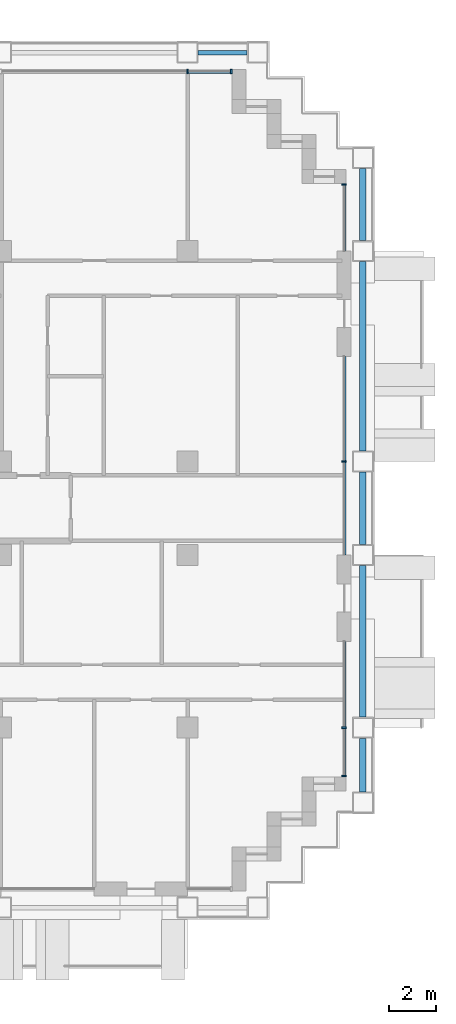
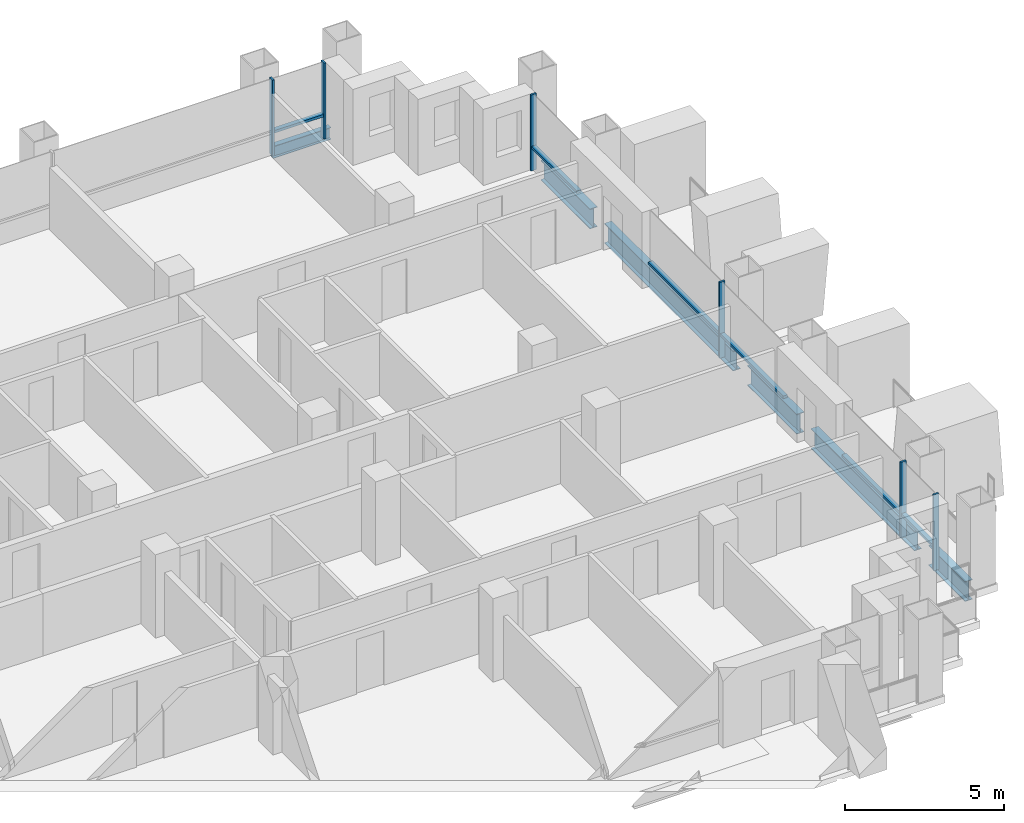
# One storey, part 6 of 19: 12 members, 6 beams, 4 elements without a shape of their own.
"""IFC4 building model written with IfcOpenShell, lengths in metres."""

from ifc_helpers import new_model, si_unit, direction, frame, origin, origin_2d, place, context, subcontext, project, spatial, rectangle, i_section, extrude, material, material_profile, profile_set, type_object, element, aggregate, save


model = new_model("IFC4")

# Units and contexts
model_context = context("Model", 3, precision=1e-05, world=origin(), true_north=direction((0.0, 1.0)))
body_context = subcontext(model_context, "Body", "Model", "MODEL_VIEW")
ifc_project = project(units=[si_unit("LENGTHUNIT", "METRE"), si_unit("AREAUNIT", "SQUARE_METRE"), si_unit("VOLUMEUNIT", "CUBIC_METRE"), si_unit("PLANEANGLEUNIT", "RADIAN"), si_unit("MASSUNIT", "GRAM", prefix="KILO")], contexts=[model_context])

# Site, building, storey
site_placement = place(None, origin())
site = spatial("IfcSite", under=ifc_project, at=site_placement, CompositionType="ELEMENT")
building_placement = place(site_placement, origin())
building = spatial("IfcBuilding", under=site, at=building_placement, Name="Vidyagriha Tower", CompositionType="ELEMENT")
storey_placement = place(building_placement, frame((0.0, 0.0, 99.89990234375)))
storey = spatial("IfcBuildingStorey", under=building, at=storey_placement, Name="L26", CompositionType="ELEMENT", Elevation=99.89990234375)

# Beams
ifc_material_1 = material(Name="Steel ASTM A992 Grade 50", Category="steel")
ifc_material_profile_1 = material_profile(ifc_material_1, i_section(OverallWidth=0.2666015625, OverallDepth=0.76953125, WebThickness=0.015625, FlangeThickness=0.025390625, at=origin_2d()), Name="W30X132")
ifc_profile_set_1 = profile_set([ifc_material_profile_1], Name="Steel ASTM A992 Grade 50")
beam_type_1 = type_object("IfcBeamType", Name="Cantilever edge beam W30X132", PredefinedType="SPANDREL", material=ifc_profile_set_1)
beam_1_placement = place(storey_placement, frame((41.5, -12.14990234375, -0.664794921875), z_axis=(0.0, 1.0, 0.0), x_axis=(-1.0, 0.0, 0.0)))
element("IfcBeam", 1, at=beam_1_placement, inside=storey, type_object=beam_type_1, Name="st-beam-L26-E15", PredefinedType="SPANDREL", context=body_context, shape_type="SweptSolid", body=[
    extrude(i_section(OverallWidth=0.2666015625, OverallDepth=0.76953125, WebThickness=0.015625, FlangeThickness=0.025390625, at=origin_2d()), origin(), (0.0, 0.0, 1.0), 2.2998046875),
])
beam_2_placement = place(storey_placement, frame((41.5, -8.949951171875, -0.664794921875), z_axis=(0.0, 1.0, 0.0), x_axis=(-1.0, 0.0, 0.0)))
element("IfcBeam", 2, at=beam_2_placement, inside=storey, type_object=beam_type_1, Name="st-beam-L26-E16", PredefinedType="SPANDREL", context=body_context, shape_type="SweptSolid", body=[
    extrude(i_section(OverallWidth=0.2666015625, OverallDepth=0.76953125, WebThickness=0.015625, FlangeThickness=0.025390625, at=origin_2d()), origin(), (0.0, 0.0, 1.0), 6.5),
])
beam_3_placement = place(storey_placement, frame((41.5, -1.550048828125, -0.664794921875), z_axis=(0.0, 1.0, 0.0), x_axis=(-1.0, 0.0, 0.0)))
element("IfcBeam", 3, at=beam_3_placement, inside=storey, type_object=beam_type_1, Name="st-beam-L26-E17", PredefinedType="SPANDREL", context=body_context, shape_type="SweptSolid", body=[
    extrude(i_section(OverallWidth=0.2666015625, OverallDepth=0.76953125, WebThickness=0.015625, FlangeThickness=0.025390625, at=origin_2d()), origin(), (0.0, 0.0, 1.0), 3.10009765625),
])
beam_4_placement = place(storey_placement, frame((41.5, 2.449951171875, -0.664794921875), z_axis=(0.0, 1.0, 0.0), x_axis=(-1.0, 0.0, 0.0)))
element("IfcBeam", 4, at=beam_4_placement, inside=storey, type_object=beam_type_1, Name="st-beam-L26-E18", PredefinedType="SPANDREL", context=body_context, shape_type="SweptSolid", body=[
    extrude(i_section(OverallWidth=0.2666015625, OverallDepth=0.76953125, WebThickness=0.015625, FlangeThickness=0.025390625, at=origin_2d()), origin(), (0.0, 0.0, 1.0), 8.10009765625),
])
beam_5_placement = place(storey_placement, frame((41.5, 11.449951171875, -0.664794921875), z_axis=(0.0, 1.0, 0.0), x_axis=(-1.0, 0.0, 0.0)))
element("IfcBeam", 5, at=beam_5_placement, inside=storey, type_object=beam_type_1, Name="st-beam-L26-E19", PredefinedType="SPANDREL", context=body_context, shape_type="SweptSolid", body=[
    extrude(i_section(OverallWidth=0.2666015625, OverallDepth=0.76953125, WebThickness=0.015625, FlangeThickness=0.025390625, at=origin_2d()), origin(), (0.0, 0.0, 1.0), 3.10009765625),
])
ifc_material_2 = material(Name="Steel ASTM A992 Grade 50", Category="steel")
ifc_material_profile_2 = material_profile(ifc_material_2, i_section(OverallWidth=0.19189453125, OverallDepth=0.46240234375, WebThickness=0.010498046875, FlangeThickness=0.017578125, at=origin_2d()), Name="W18X60")
ifc_profile_set_2 = profile_set([ifc_material_profile_2], Name="Steel ASTM A992 Grade 50")
beam_type_2 = type_object("IfcBeamType", Name="Edge beam W18X60", PredefinedType="SPANDREL", material=ifc_profile_set_2)
beam_6_placement = place(storey_placement, frame((34.449951171875, 19.5, -0.510986328125), z_axis=(1.0, 0.0, 0.0), x_axis=(0.0, 1.0, 0.0)))
element("IfcBeam", 6, at=beam_6_placement, inside=storey, type_object=beam_type_2, Name="st-beam-L26-NE23", PredefinedType="SPANDREL", context=body_context, shape_type="SweptSolid", body=[
    extrude(i_section(OverallWidth=0.19189453125, OverallDepth=0.46240234375, WebThickness=0.010498046875, FlangeThickness=0.017578125, at=origin_2d()), origin(), (0.0, 0.0, 1.0), 2.10009765625),
])

# Curtain wall, members
ifc_material_3 = material(Name="Aluminium and glass curtain wall", Category="aluminium")
curtain_wall_type = type_object("IfcCurtainWallType", Name="Dwelling skin unitised curtain wall", PredefinedType="USERDEFINED", material=ifc_material_3)
curtain_wall_1_placement = place(storey_placement, origin())
curtain_wall_1 = element("IfcCurtainWall", 7, at=curtain_wall_1_placement, inside=storey, type_object=curtain_wall_type, Name="CW1 dwelling skin", ObjectType="UNITISED", PredefinedType="USERDEFINED")
ifc_material_4 = material(Name="Aluminium black anodised", Category="aluminium")
ifc_material_profile_3 = material_profile(ifc_material_4, rectangle(XDim=0.199951171875, YDim=0.070068359375, at=origin_2d()), Name="Mullion 70x200 black aluminium")
ifc_profile_set_3 = profile_set([ifc_material_profile_3], Name="Aluminium black anodised")
member_type_1 = type_object("IfcMemberType", Name="Mullion 70x200 black aluminium", PredefinedType="MULLION", material=ifc_profile_set_3)
member_1_placement = place(storey_placement, frame((35.864990234375, 18.699951171875, 0.0), z_axis=(0.0, 0.0, 1.0), x_axis=(0.0, -1.0, 0.0)))
member_1 = element("IfcMember", 8, at=member_1_placement, type_object=member_type_1, Name="CW1 mullion 1", PredefinedType="MULLION", context=body_context, shape_type="SweptSolid", body=[
    extrude(rectangle(XDim=0.199951171875, YDim=0.070068359375, at=origin_2d()), origin(), (0.0, 0.0, 1.0), 2.920166015625),
])
member_2_placement = place(storey_placement, frame((34.0, 18.699951171875, 0.0), z_axis=(0.0, 0.0, 1.0), x_axis=(0.0, -1.0, 0.0)))
member_2 = element("IfcMember", 9, at=member_2_placement, type_object=member_type_1, Name="CW1 mullion 2", PredefinedType="MULLION", context=body_context, shape_type="SweptSolid", body=[
    extrude(rectangle(XDim=0.199951171875, YDim=0.070068359375, at=origin_2d()), origin(), (0.0, 0.0, 1.0), 2.920166015625),
])

curtain_wall_2_placement = place(storey_placement, origin())
curtain_wall_2 = element("IfcCurtainWall", 10, at=curtain_wall_2_placement, inside=storey, type_object=curtain_wall_type, Name="CW1 dwelling skin", ObjectType="UNITISED", PredefinedType="USERDEFINED")
member_3_placement = place(storey_placement, frame((40.699951171875, -11.465087890625, 0.0), z_axis=(0.0, 0.0, 1.0), x_axis=(-1.0, 0.0, 0.0)))
member_3 = element("IfcMember", 11, at=member_3_placement, type_object=member_type_1, Name="CW1 mullion 1", PredefinedType="MULLION", context=body_context, shape_type="SweptSolid", body=[
    extrude(rectangle(XDim=0.199951171875, YDim=0.070068359375, at=origin_2d()), origin(), (0.0, 0.0, 1.0), 2.920166015625),
])
member_4_placement = place(storey_placement, frame((40.699951171875, -9.39990234375, 0.0), z_axis=(0.0, 0.0, 1.0), x_axis=(-1.0, 0.0, 0.0)))
member_4 = element("IfcMember", 12, at=member_4_placement, type_object=member_type_1, Name="CW1 mullion 2", PredefinedType="MULLION", context=body_context, shape_type="SweptSolid", body=[
    extrude(rectangle(XDim=0.199951171875, YDim=0.070068359375, at=origin_2d()), origin(), (0.0, 0.0, 1.0), 2.920166015625),
])

# Curtain wall, member
curtain_wall_3_placement = place(storey_placement, origin())
curtain_wall_3 = element("IfcCurtainWall", 13, at=curtain_wall_3_placement, inside=storey, type_object=curtain_wall_type, Name="CW1 dwelling skin", ObjectType="UNITISED", PredefinedType="USERDEFINED")
member_5_placement = place(storey_placement, frame((40.699951171875, 2.0, 0.0), z_axis=(0.0, 0.0, 1.0), x_axis=(-1.0, 0.0, 0.0)))
member_5 = element("IfcMember", 14, at=member_5_placement, type_object=member_type_1, Name="CW1 mullion 2", PredefinedType="MULLION", context=body_context, shape_type="SweptSolid", body=[
    extrude(rectangle(XDim=0.199951171875, YDim=0.070068359375, at=origin_2d()), origin(), (0.0, 0.0, 1.0), 2.920166015625),
])

curtain_wall_4_placement = place(storey_placement, origin())
curtain_wall_4 = element("IfcCurtainWall", 15, at=curtain_wall_4_placement, inside=storey, type_object=curtain_wall_type, Name="CW1 dwelling skin", ObjectType="UNITISED", PredefinedType="USERDEFINED")
member_6_placement = place(storey_placement, frame((40.699951171875, 13.864990234375, 0.0), z_axis=(0.0, 0.0, 1.0), x_axis=(-1.0, 0.0, 0.0)))
member_6 = element("IfcMember", 16, at=member_6_placement, type_object=member_type_1, Name="CW1 mullion 2", PredefinedType="MULLION", context=body_context, shape_type="SweptSolid", body=[
    extrude(rectangle(XDim=0.199951171875, YDim=0.070068359375, at=origin_2d()), origin(), (0.0, 0.0, 1.0), 2.920166015625),
])

# Member
ifc_material_5 = material(Name="Aluminium black anodised", Category="aluminium")
ifc_material_profile_4 = material_profile(ifc_material_5, rectangle(XDim=0.159912109375, YDim=0.10009765625, at=origin_2d()), Name="Transom 100x160 black aluminium")
ifc_profile_set_4 = profile_set([ifc_material_profile_4], Name="Aluminium black anodised")
member_type_2 = type_object("IfcMemberType", Name="Transom 100x160 black aluminium", PredefinedType="USERDEFINED", material=ifc_profile_set_4)
member_7_placement = place(storey_placement, frame((35.830078125, 18.699951171875, 0.900146484375), z_axis=(-1.0, 0.0, 0.0), x_axis=(0.0, -1.0, 0.0)))
member_7 = element("IfcMember", 17, at=member_7_placement, type_object=member_type_2, Name="CW1 transom 1.1", ObjectType="TRANSOM", PredefinedType="USERDEFINED", context=body_context, shape_type="SweptSolid", body=[
    extrude(rectangle(XDim=0.159912109375, YDim=0.10009765625, at=origin_2d()), origin(), (0.0, 0.0, 1.0), 1.795166015625),
])

aggregate(curtain_wall_1, [member_1, member_2, member_7])

member_8_placement = place(storey_placement, frame((40.699951171875, -11.429931640625, 0.900146484375), z_axis=(0.0, 1.0, 0.0), x_axis=(-1.0, 0.0, 0.0)))
member_8 = element("IfcMember", 18, at=member_8_placement, type_object=member_type_2, Name="CW1 transom 1.1", ObjectType="TRANSOM", PredefinedType="USERDEFINED", context=body_context, shape_type="SweptSolid", body=[
    extrude(rectangle(XDim=0.159912109375, YDim=0.10009765625, at=origin_2d()), origin(), (0.0, 0.0, 1.0), 1.994873046875),
])

member_9_placement = place(storey_placement, frame((40.699951171875, -9.364990234375, 0.900146484375), z_axis=(0.0, 1.0, 0.0), x_axis=(-1.0, 0.0, 0.0)))
member_9 = element("IfcMember", 19, at=member_9_placement, type_object=member_type_2, Name="CW1 transom 2.1", ObjectType="TRANSOM", PredefinedType="USERDEFINED", context=body_context, shape_type="SweptSolid", body=[
    extrude(rectangle(XDim=0.159912109375, YDim=0.10009765625, at=origin_2d()), origin(), (0.0, 0.0, 1.0), 3.6650390625),
])

aggregate(curtain_wall_2, [member_3, member_4, member_8, member_9])

member_10_placement = place(storey_placement, frame((40.699951171875, -2.0, 0.900146484375), z_axis=(0.0, 1.0, 0.0), x_axis=(-1.0, 0.0, 0.0)))
member_10 = element("IfcMember", 20, at=member_10_placement, type_object=member_type_2, Name="CW1 transom 1.1", ObjectType="TRANSOM", PredefinedType="USERDEFINED", context=body_context, shape_type="SweptSolid", body=[
    extrude(rectangle(XDim=0.159912109375, YDim=0.10009765625, at=origin_2d()), origin(), (0.0, 0.0, 1.0), 3.965087890625),
])

member_11_placement = place(storey_placement, frame((40.699951171875, 2.034912109375, 0.900146484375), z_axis=(0.0, 1.0, 0.0), x_axis=(-1.0, 0.0, 0.0)))
member_11 = element("IfcMember", 21, at=member_11_placement, type_object=member_type_2, Name="CW1 transom 2.1", ObjectType="TRANSOM", PredefinedType="USERDEFINED", context=body_context, shape_type="SweptSolid", body=[
    extrude(rectangle(XDim=0.159912109375, YDim=0.10009765625, at=origin_2d()), origin(), (0.0, 0.0, 1.0), 4.465087890625),
])

aggregate(curtain_wall_3, [member_5, member_10, member_11])

member_12_placement = place(storey_placement, frame((40.699951171875, 11.0, 0.900146484375), z_axis=(0.0, 1.0, 0.0), x_axis=(-1.0, 0.0, 0.0)))
member_12 = element("IfcMember", 22, at=member_12_placement, type_object=member_type_2, Name="CW1 transom 1.1", ObjectType="TRANSOM", PredefinedType="USERDEFINED", context=body_context, shape_type="SweptSolid", body=[
    extrude(rectangle(XDim=0.159912109375, YDim=0.10009765625, at=origin_2d()), origin(), (0.0, 0.0, 1.0), 2.830078125),
])

aggregate(curtain_wall_4, [member_6, member_12])

save(model, "model.ifc")
